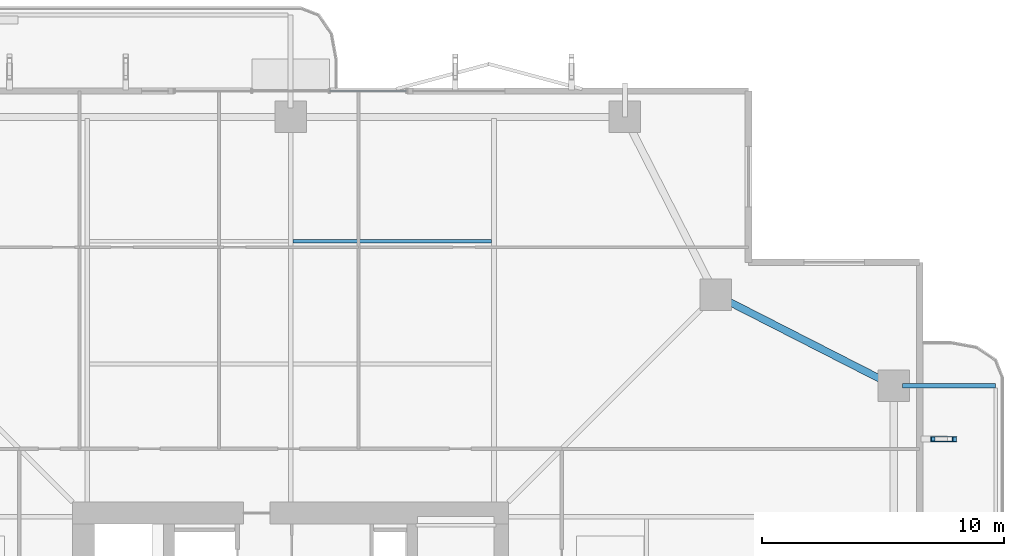
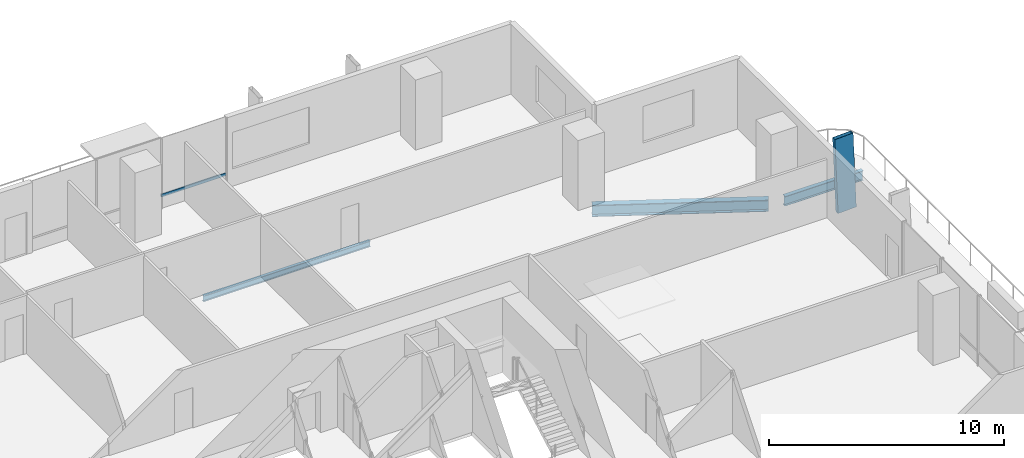
# One storey, part 14 of 24: 3 beams, 2 members, 1 element without a shape of its own.
"""IFC4 building model written with IfcOpenShell, lengths in metres."""

from ifc_helpers import new_model, si_unit, direction, frame, origin, origin_2d, place, context, subcontext, project, spatial, hollow_rectangle, i_section, extrude, material, layer, layer_set, material_profile, profile_set, type_object, element, aggregate, save


model = new_model("IFC4")

# Units and contexts
model_context = context("Model", 3, precision=1e-05, world=origin(), true_north=direction((0.0, 1.0)))
body_context = subcontext(model_context, "Body", "Model", "MODEL_VIEW")
ifc_project = project(units=[si_unit("LENGTHUNIT", "METRE"), si_unit("AREAUNIT", "SQUARE_METRE"), si_unit("VOLUMEUNIT", "CUBIC_METRE"), si_unit("PLANEANGLEUNIT", "RADIAN"), si_unit("MASSUNIT", "GRAM", prefix="KILO")], contexts=[model_context])

# Site, building, storey
site_placement = place(None, origin())
site = spatial("IfcSite", under=ifc_project, at=site_placement, CompositionType="ELEMENT")
building_placement = place(site_placement, origin())
building = spatial("IfcBuilding", under=site, at=building_placement, Name="Belovzor Exchange Tower", CompositionType="ELEMENT")
storey_placement = place(building_placement, frame((0.0, 0.0, 117.300048828125)))
storey = spatial("IfcBuildingStorey", under=building, at=storey_placement, Name="L28", CompositionType="ELEMENT", Elevation=117.300048828125)

# Beams
ifc_material_1 = material(Name="Steel S355", Category="steel")
ifc_material_profile_1 = material_profile(ifc_material_1, i_section(OverallWidth=0.199951171875, OverallDepth=0.5, WebThickness=0.01025390625, FlangeThickness=0.01611328125, at=origin_2d()))
ifc_profile_set_1 = profile_set([ifc_material_profile_1], Name="Steel S355")
beam_type_1 = type_object("IfcBeamType", Name="Planted Balcony Cantilever Beam IPE 500", PredefinedType="BEAM", material=ifc_profile_set_1)
beam_1_placement = place(storey_placement, frame((54.05810546875, 42.60009765625, -0.5), z_axis=(1.0, 0.0, 0.0), x_axis=(0.0, 1.0, 0.0)))
element("IfcBeam", 1, at=beam_1_placement, inside=storey, type_object=beam_type_1, Name="BC-500 Planted Balcony Cantilever Beam IPE 500", PredefinedType="BEAM", context=body_context, shape_type="SweptSolid", body=[
    extrude(i_section(OverallWidth=0.199951171875, OverallDepth=0.5, WebThickness=0.01025390625, FlangeThickness=0.01611328125, at=origin_2d()), origin(), (0.0, 0.0, 1.0), 3.849853515625),
])
ifc_material_2 = material(Name="Steel S355", Category="steel")
ifc_material_profile_2 = material_profile(ifc_material_2, i_section(OverallWidth=0.14990234375, OverallDepth=0.300048828125, WebThickness=0.007080078125, FlangeThickness=0.0107421875, at=origin_2d()))
ifc_profile_set_2 = profile_set([ifc_material_profile_2], Name="Steel S355")
beam_type_2 = type_object("IfcBeamType", Name="Secondary Trim Floor Joist IPE 300", PredefinedType="BEAM", material=ifc_profile_set_2)
beam_2_placement = place(storey_placement, frame((28.89501953125, 48.56103515625, -0.400146484375), z_axis=(1.0, 0.0, 0.0), x_axis=(0.0, 1.0, 0.0)))
element("IfcBeam", 2, at=beam_2_placement, inside=storey, type_object=beam_type_2, Name="FJ-300 Secondary Trim Floor Joist IPE 300", PredefinedType="BEAM", context=body_context, shape_type="SweptSolid", body=[
    extrude(i_section(OverallWidth=0.14990234375, OverallDepth=0.300048828125, WebThickness=0.007080078125, FlangeThickness=0.0107421875, at=origin_2d()), origin(), (0.0, 0.0, 1.0), 8.2099609375),
])

# Member
ifc_material_3 = material(Name="Extruded Architectural Terracotta on Steel S355 Carrier", Category="masonry")
ifc_material_profile_3 = material_profile(ifc_material_3, hollow_rectangle(XDim=0.199951171875, YDim=0.89990234375, WallThickness=0.011962890625, at=origin_2d()))
ifc_profile_set_3 = profile_set([ifc_material_profile_3], Name="Extruded Architectural Terracotta on Steel S355 Carrier")
member_type_1 = type_object("IfcMemberType", Name="Sweeping Terracotta Baguette Fin Assembly 1250", PredefinedType="USERDEFINED", material=ifc_profile_set_3)
member_1_placement = place(storey_placement, frame((55.842041015625, 40.39990234375, -0.25), z_axis=(-0.040719923662, 0.0, 0.999170599956), x_axis=(0.0, -1.0, 0.0)))
element("IfcMember", 3, at=member_1_placement, inside=storey, type_object=member_type_1, Name="FIN-TC125 Terracotta Facade Fin L28 E4", ObjectType="FIN", PredefinedType="USERDEFINED", context=body_context, shape_type="SweptSolid", body=[
    extrude(hollow_rectangle(XDim=0.199951171875, YDim=0.89990234375, WallThickness=0.011962890625, at=origin_2d()), origin(), (0.0, 0.0, 1.0), 3.903076171875),
])

# Curtain wall, member
ifc_material_4 = material(Name="Anodised Aluminium Framing", Category="aluminium")
ifc_layer = layer(ifc_material_4, 0.179931640625)
ifc_layer_set = layer_set([ifc_layer], Name="Anodised Aluminium Framing")
curtain_wall_type = type_object("IfcCurtainWallType", Name="Recessed Loggia Low-Iron Triple-Glazed Curtain Wall", PredefinedType="NOTDEFINED", material=ifc_layer_set)
curtain_wall_placement = place(storey_placement, origin())
curtain_wall = element("IfcCurtainWall", 4, at=curtain_wall_placement, inside=storey, type_object=curtain_wall_type, Name="CW3 Recessed Loggia Low-Iron Triple-Glazed Curtain Wall L28", PredefinedType="NOTDEFINED")
ifc_material_5 = material(Name="Steel S355", Category="steel")
ifc_material_profile_4 = material_profile(ifc_material_5, hollow_rectangle(XDim=0.06005859375, YDim=0.14990234375, WallThickness=0.00390625, at=origin_2d()))
ifc_profile_set_4 = profile_set([ifc_material_profile_4], Name="Steel S355")
member_type_2 = type_object("IfcMemberType", Name="Thermally Broken Curtain Wall Transom 150x60", PredefinedType="USERDEFINED", material=ifc_profile_set_4)
member_2_placement = place(storey_placement, frame((30.407958984375, 54.77001953125, 0.64990234375), z_axis=(1.0, 0.0, 0.0), x_axis=(0.0, 1.0, 0.0)))
member_2 = element("IfcMember", 5, at=member_2_placement, type_object=member_type_2, Name="CW-T150 Curtain Wall Transom 3", ObjectType="TRANSOM", PredefinedType="USERDEFINED", context=body_context, shape_type="SweptSolid", body=[
    extrude(hollow_rectangle(XDim=0.06005859375, YDim=0.14990234375, WallThickness=0.00390625, at=origin_2d()), origin(), (0.0, 0.0, 1.0), 3.18408203125),
])
aggregate(curtain_wall, [member_2])

# Beam
ifc_material_6 = material(Name="Steel S355", Category="steel")
ifc_material_profile_5 = material_profile(ifc_material_6, i_section(OverallWidth=0.300048828125, OverallDepth=0.60009765625, WebThickness=0.015380859375, FlangeThickness=0.030029296875, at=origin_2d()))
ifc_profile_set_5 = profile_set([ifc_material_profile_5], Name="Steel S355")
beam_type_3 = type_object("IfcBeamType", Name="Zone 2 Primary Perimeter Girder HEB 600", PredefinedType="BEAM", material=ifc_profile_set_5)
beam_3_placement = place(storey_placement, frame((53.382080078125, 42.761962890625, -0.550048828125), z_axis=(-0.890737249989, 0.454518593109, 0.0), x_axis=(-0.454518593109, -0.890737249989, 0.0)))
element("IfcBeam", 6, at=beam_3_placement, inside=storey, type_object=beam_type_3, Name="FG-Z2 Zone 2 Primary Perimeter Girder HEB 600", PredefinedType="BEAM", context=body_context, shape_type="SweptSolid", body=[
    extrude(i_section(OverallWidth=0.300048828125, OverallDepth=0.60009765625, WebThickness=0.015380859375, FlangeThickness=0.030029296875, at=origin_2d()), origin(), (0.0, 0.0, 1.0), 7.53759765625),
])

save(model, "model.ifc")
